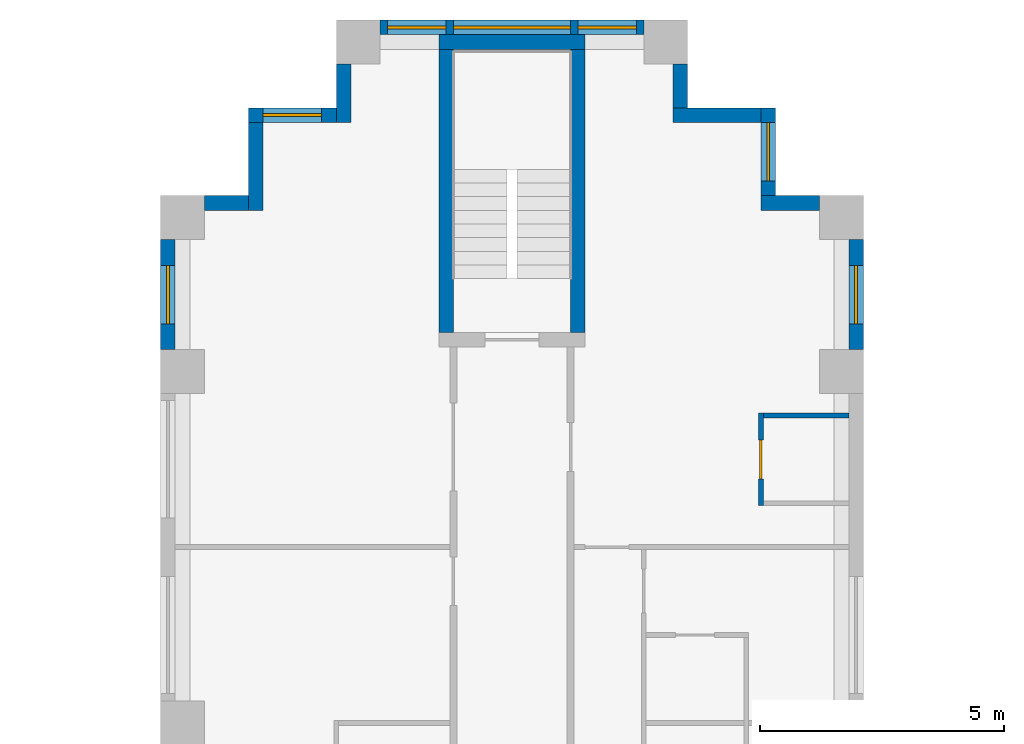
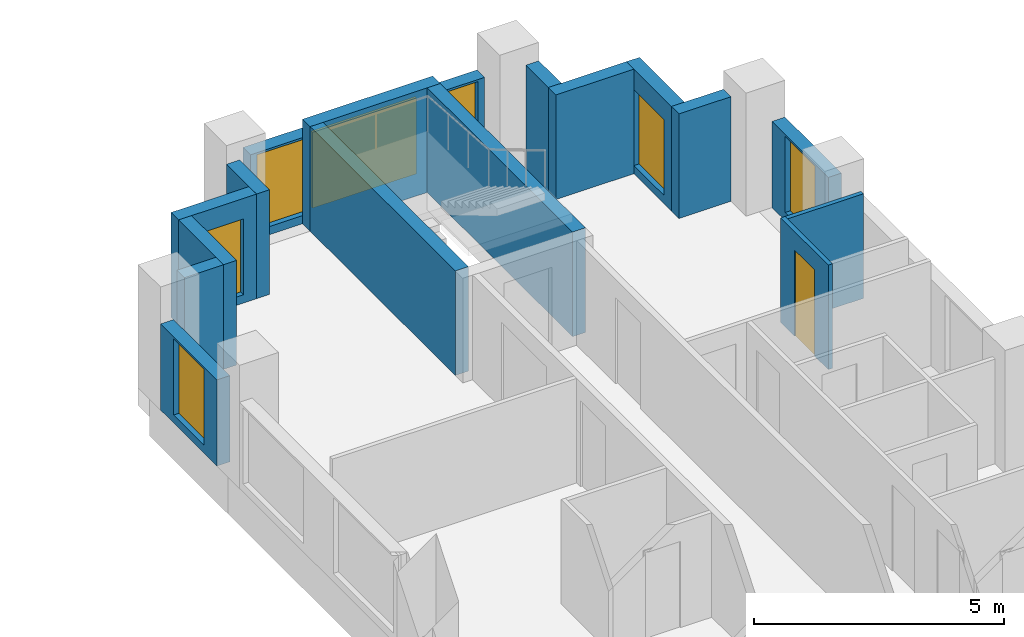
# One storey, part 12 of 15: 16 walls, 7 windows, 1 door, 8 openings.
"""IFC4 building model written with IfcOpenShell, lengths in metres."""

import ifcopenshell
import ifcopenshell.guid

model = None  # the IFC model being written
_history = None  # IfcOwnerHistory: only IFC2X3 demands one
_inside = {}  # id of a spatial element -> (the spatial element, [elements in it])
_under = {}  # id of a project, library or spatial element -> (it, [spatial elements below it])
_declared = {}  # id of a project -> (the project, [libraries it declares])
_typed = {}  # id of a type object -> (the type object, [elements of that type])
_made_of = {}  # id of a material, layer set ... -> (it, [elements and type objects made of it])


def new_model(schema):
    """Start an empty IFC model of exactly this schema.

    Asked for "IFC4X3", IfcOpenShell would pick the latest addendum, in which some entities
    have other attributes; the version numbers below select the first issue.
    IFC2X3 requires an IfcOwnerHistory on every rooted entity: one is made here for all.
    """
    global model, _history
    if schema == "IFC4X3":
        model = ifcopenshell.file(schema_version=(4, 3, 0, 0))
    else:
        model = ifcopenshell.file(schema=schema)
    _inside.clear()
    _under.clear()
    _declared.clear()
    _typed.clear()
    _made_of.clear()
    _history = None
    if model.schema == "IFC2X3":
        org = make("IfcOrganization", Name="unknown")
        user = make(
            "IfcPersonAndOrganization",
            ThePerson=make("IfcPerson", FamilyName="unknown"),
            TheOrganization=org,
        )
        app = make(
            "IfcApplication",
            ApplicationDeveloper=org,
            Version="unknown",
            ApplicationFullName="unknown",
            ApplicationIdentifier="unknown",
        )
        _history = make(
            "IfcOwnerHistory",
            OwningUser=user,
            OwningApplication=app,
            ChangeAction="ADDED",
            CreationDate=0,
        )
    return model


def make(cls, **values):
    """One entity of the class cls with the attributes given. An attribute that is None is left unset."""
    return model.create_entity(
        cls, **{name: value for name, value in values.items() if value is not None}
    )


def rooted(cls, **values):
    """An entity with a GlobalId (a new one), such as an element, a storey or a relation."""
    return make(cls, GlobalId=ifcopenshell.guid.new(), OwnerHistory=_history, **values)


def si_unit(unit_type, name, prefix=None):
    """IfcSIUnit, for example si_unit("LENGTHUNIT", "METRE", prefix="MILLI")."""
    return make("IfcSIUnit", UnitType=unit_type, Prefix=prefix, Name=name)


def assignment(units):
    """IfcUnitAssignment: the units of a project."""
    return None if units is None else make("IfcUnitAssignment", Units=units)


def point(xyz):
    """IfcCartesianPoint."""
    return None if xyz is None else make("IfcCartesianPoint", Coordinates=xyz)


def direction(xyz):
    """IfcDirection."""
    return None if xyz is None else make("IfcDirection", DirectionRatios=xyz)


def frame(location, z_axis=None, x_axis=None):
    """IfcAxis2Placement3D, a coordinate frame: its origin and axes. An axis left out is left unset."""
    return make(
        "IfcAxis2Placement3D",
        Location=point(location),
        Axis=direction(z_axis),
        RefDirection=direction(x_axis),
    )


def frame_2d(location, x_axis=None):
    """IfcAxis2Placement2D, a coordinate frame in the plane: its origin and x axis."""
    return make(
        "IfcAxis2Placement2D", Location=point(location), RefDirection=direction(x_axis)
    )


def origin():
    """The frame at (0, 0, 0) with its axes left unset."""
    return frame((0.0, 0.0, 0.0))


def place(relative_to, where):
    """IfcLocalPlacement: puts the frame where relative to a parent placement (None: the world)."""
    return make(
        "IfcLocalPlacement", PlacementRelTo=relative_to, RelativePlacement=where
    )


def context(
    kind, dimensions, precision=None, world=None, true_north=None, identifier=None
):
    """IfcGeometricRepresentationContext, for example the 3D "Model" context."""
    return make(
        "IfcGeometricRepresentationContext",
        ContextIdentifier=identifier,
        ContextType=kind,
        CoordinateSpaceDimension=dimensions,
        Precision=precision,
        WorldCoordinateSystem=world,
        TrueNorth=true_north,
    )


def subcontext(parent, identifier, kind, view, scale=None):
    """IfcGeometricRepresentationSubContext, for example "Body" below "Model"."""
    return make(
        "IfcGeometricRepresentationSubContext",
        ContextIdentifier=identifier,
        ContextType=kind,
        ParentContext=parent,
        TargetScale=scale,
        TargetView=view,
    )


def project(units=None, contexts=None):
    """IfcProject with its units and contexts."""
    return rooted(
        "IfcProject",
        Name="project",
        RepresentationContexts=contexts,
        UnitsInContext=assignment(units),
    )


def spatial(cls, under=None, at=None, **own):
    """A site, building, storey or space (cls), placed at a placement, below another one or the project."""
    s = rooted(cls, ObjectPlacement=at, **own)
    if under is not None:
        _under.setdefault(under.id(), (under, []))[1].append(s)
    return s


def profile(cls, at=None, kind="AREA", **sizes):
    """A parametric profile (cls). Its sizes go by their IFC names, for example OverallWidth=200.0."""
    return make(cls, ProfileType=kind, Position=at, **sizes)


def rectangle(**sizes):
    """IfcRectangleProfileDef."""
    return profile("IfcRectangleProfileDef", **sizes)


def extrude(swept, where, along, depth):
    """IfcExtrudedAreaSolid: the profile swept, set in the frame where, extruded along a direction by depth."""
    return make(
        "IfcExtrudedAreaSolid",
        SweptArea=swept,
        Position=where,
        ExtrudedDirection=direction(along),
        Depth=depth,
    )


def shape(context_of_items, identifier, shape_type, items):
    """IfcShapeRepresentation: the items that make up one representation, for example the "Body"."""
    return make(
        "IfcShapeRepresentation",
        ContextOfItems=context_of_items,
        RepresentationIdentifier=identifier,
        RepresentationType=shape_type,
        Items=items,
    )


def material(Name=None, Category=None):
    """IfcMaterial."""
    return make("IfcMaterial", Name=Name, Category=Category)


def layer(
    of_material, thickness, ventilated=None, Name=None, Category=None, Priority=None
):
    """IfcMaterialLayer: one layer of a wall or slab, of a material (None: an air gap)."""
    return make(
        "IfcMaterialLayer",
        Material=of_material,
        LayerThickness=thickness,
        IsVentilated=ventilated,
        Name=Name,
        Category=Category,
        Priority=Priority,
    )


def layer_set(layers, Name=None):
    """IfcMaterialLayerSet."""
    return make("IfcMaterialLayerSet", MaterialLayers=layers, LayerSetName=Name)


def made_of(thing, what):
    """Note that an element or type object is made of a material, layer set ...; save() writes the relation."""
    if what is not None:
        _made_of.setdefault(what.id(), (what, []))[1].append(thing)
    return thing


def type_object(cls, material=None, **own):
    """A type object (cls), such as IfcWallType, which elements share."""
    return made_of(rooted(cls, **own), material)


def element(
    cls,
    number,
    at=None,
    inside=None,
    cuts=None,
    type_object=None,
    material=None,
    context=None,
    identifier="Body",
    shape_type=None,
    held_by="IfcProductDefinitionShape",
    body=None,
    shapes=None,
    **own,
):
    """One element of the class cls, such as IfcWall. Its Tag is "e" and its number.

    at: its placement. inside: the storey or other place that contains it. cuts: it is an
    opening in that element (IfcRelVoidsElement). A single representation is given by context,
    identifier, shape_type and body (its items); several are given by shapes. held_by: the class
    of the entity that holds the representations. save() writes the other relations.
    """
    e = rooted(cls, Tag="e%d" % number, ObjectPlacement=at, **own)
    if body is not None:
        shapes = [shape(context, identifier, shape_type, body)]
    if shapes is not None:
        e.Representation = make(held_by, Representations=shapes)
    if inside is not None:
        _inside.setdefault(inside.id(), (inside, []))[1].append(e)
    if cuts is not None:
        rooted(
            "IfcRelVoidsElement", RelatingBuildingElement=cuts, RelatedOpeningElement=e
        )
    if type_object is not None:
        _typed.setdefault(type_object.id(), (type_object, []))[1].append(e)
    return made_of(e, material)


def fill(opening, filler):
    """IfcRelFillsElement: the door or window that sits in an opening."""
    return rooted(
        "IfcRelFillsElement",
        RelatingOpeningElement=opening,
        RelatedBuildingElement=filler,
    )


def aggregate(whole, parts):
    """IfcRelAggregates: a whole, such as a stair, and the parts it consists of."""
    return rooted("IfcRelAggregates", RelatingObject=whole, RelatedObjects=parts)


def save(model, path):
    """Write the relations noted so far, then the file.

    IfcRelAggregates (storeys below a building ...), IfcRelContainedInSpatialStructure (elements
    in a storey), IfcRelDefinesByType, IfcRelAssociatesMaterial and IfcRelDeclares: one each for
    every whole, place, type object, material and project.
    """
    for whole, parts in _under.values():
        aggregate(whole, parts)
    for where, things in _inside.values():
        rooted(
            "IfcRelContainedInSpatialStructure",
            RelatedElements=things,
            RelatingStructure=where,
        )
    for kind, things in _typed.values():
        rooted("IfcRelDefinesByType", RelatedObjects=things, RelatingType=kind)
    for what, things in _made_of.values():
        rooted("IfcRelAssociatesMaterial", RelatedObjects=things, RelatingMaterial=what)
    for by, libraries in _declared.values():
        rooted("IfcRelDeclares", RelatingContext=by, RelatedDefinitions=libraries)
    model.write(path)


model = new_model("IFC4")

# Units and contexts
model_context = context("Model", 3, precision=1e-05, world=origin(), true_north=direction((0.0, 1.0)))
body_context = subcontext(model_context, "Body", "Model", "MODEL_VIEW")
ifc_project = project(units=[si_unit("LENGTHUNIT", "METRE"), si_unit("AREAUNIT", "SQUARE_METRE"), si_unit("VOLUMEUNIT", "CUBIC_METRE"), si_unit("PLANEANGLEUNIT", "RADIAN"), si_unit("MASSUNIT", "GRAM", prefix="KILO")], contexts=[model_context])

# Site, building, storey
site_placement = place(None, origin())
site = spatial("IfcSite", under=ifc_project, at=site_placement, CompositionType="ELEMENT")
building_placement = place(site_placement, origin())
building = spatial("IfcBuilding", under=site, at=building_placement, Name="Fustian Cross Tower", CompositionType="ELEMENT")
storey_placement = place(building_placement, frame((0.0, 0.0, 59.699951171875)))
storey = spatial("IfcBuildingStorey", under=building, at=storey_placement, Name="L18", CompositionType="ELEMENT", Elevation=59.699951171875)

# Wall, opening, door
ifc_material_1 = material(Name="Plasterboard on steel stud", Category="steel")
ifc_layer_1 = layer(ifc_material_1, 0.10009765625)
ifc_layer_set_1 = layer_set([ifc_layer_1], Name="Plasterboard on steel stud")
wall_type_1 = type_object("IfcWallType", Name="PARTITION 100 STUD", PredefinedType="PARTITIONING", material=ifc_layer_set_1)
wall_1_placement = place(storey_placement, frame((5.10009765625, 33.25, 0.0), z_axis=(0.0, 0.0, 1.0), x_axis=(0.0, 1.0, 0.0)))
wall_1 = element("IfcWall", 1, at=wall_1_placement, inside=storey, type_object=wall_type_1, Name="Partition 83", PredefinedType="PARTITIONING", context=body_context, shape_type="SweptSolid", body=[
    extrude(rectangle(XDim=1.89990234375, YDim=0.10009765625, at=frame_2d((0.949951171875, 0.0))), origin(), (0.0, 0.0, 1.0), 2.550048828125),
])
opening_1_placement = place(wall_1_placement, frame((0.550048828125, 0.0, 0.0)))
opening_1 = element("IfcOpeningElement", 2, at=opening_1_placement, cuts=wall_1, Name="Opening D09033", PredefinedType="OPENING", context=body_context, shape_type="SweptSolid", body=[
    extrude(rectangle(XDim=0.800048828125, YDim=2.10009765625, at=frame_2d((0.39990234375, 1.050048828125))), frame((0.0, 0.06005859375, 0.0), z_axis=(0.0, -1.0, 0.0), x_axis=(1.0, 0.0, 0.0)), (0.0, 0.0, 1.0), 0.1201171875),
])
ifc_material_2 = material(Name="Painted timber", Category="wood")
door_type = type_object("IfcDoorType", Name="SWING DOOR 800", OperationType="SINGLE_SWING_LEFT", PredefinedType="DOOR", material=ifc_material_2)
door_placement = place(opening_1_placement, frame((0.800048828125, 0.0, 0.0), z_axis=(0.0, 0.0, 1.0), x_axis=(-1.0, 0.0, 0.0)))
door = element("IfcDoor", 3, at=door_placement, inside=storey, type_object=door_type, Name="Door D09033", OperationType="SINGLE_SWING_LEFT", OverallHeight=2.10009765625, OverallWidth=0.800048828125, PredefinedType="DOOR", context=body_context, shape_type="SweptSolid", body=[
    extrude(rectangle(XDim=0.800048828125, YDim=2.10009765625, at=frame_2d((0.39990234375, 1.050048828125))), frame((0.0, 0.02490234375, 0.0), z_axis=(0.0, -1.0, 0.0), x_axis=(1.0, 0.0, 0.0)), (0.0, 0.0, 1.0), 0.050048828125),
])
fill(opening_1, door)

# Walls
wall_2_placement = place(storey_placement, frame((5.14990234375, 35.10009765625, 0.0), z_axis=(0.0, 0.0, 1.0), x_axis=(1.0, 0.0, 0.0)))
element("IfcWall", 4, at=wall_2_placement, inside=storey, type_object=wall_type_1, Name="Partition 85", PredefinedType="PARTITIONING", context=body_context, shape_type="SweptSolid", body=[
    extrude(rectangle(XDim=1.75, YDim=0.10009765625, at=frame_2d((0.875, 0.0))), origin(), (0.0, 0.0, 1.0), 2.550048828125),
])
ifc_material_3 = material(Name="Concrete C50/60", Category="concrete")
ifc_layer_2 = layer(ifc_material_3, 0.300048828125)
ifc_layer_set_2 = layer_set([ifc_layer_2], Name="Concrete C50/60")
wall_type_2 = type_object("IfcWallType", Name="STAIR ENCLOSURE WALL 300 C50/60", PredefinedType="SHEAR", material=ifc_layer_set_2)
wall_3_placement = place(storey_placement, frame((-1.5, 42.75, 0.0), z_axis=(0.0, 0.0, 1.0), x_axis=(1.0, 0.0, 0.0)))
element("IfcWall", 5, at=wall_3_placement, inside=storey, type_object=wall_type_2, Name="Stair enclosure wall", PredefinedType="SHEAR", context=body_context, shape_type="SweptSolid", body=[
    extrude(rectangle(XDim=3.0, YDim=0.300048828125, at=frame_2d((1.5, 0.0))), origin(), (0.0, 0.0, 1.0), 2.550048828125),
])
for number, where, z_axis, x_axis, name in (
    (6, (-1.35009765625, 36.800048828125, 0.0), (0.0, 0.0, 1.0), (0.0, 1.0, 0.0), "Stair enclosure wall"),
    (7, (1.35009765625, 36.800048828125, 0.0), (0.0, 0.0, 1.0), (0.0, 1.0, 0.0), "Stair enclosure wall"),
):
    element("IfcWall", number, at=place(storey_placement, frame(where, z_axis=z_axis, x_axis=x_axis)), inside=storey, type_object=wall_type_2, Name=name, PredefinedType="SHEAR", context=body_context, shape_type="SweptSolid", body=[
        extrude(rectangle(XDim=5.800048828125, YDim=0.300048828125, at=frame_2d((2.89990234375, 0.0))), origin(), (0.0, 0.0, 1.0), 2.550048828125),
    ])

# Wall, opening, window
ifc_material_4 = material(Name="Dark aluminium cladding on insulated backing wall", Category="aluminium")
ifc_layer_3 = layer(ifc_material_4, 0.300048828125)
ifc_layer_set_3 = layer_set([ifc_layer_3], Name="Dark aluminium cladding on insulated backing wall")
wall_type_3 = type_object("IfcWallType", Name="XW1 EXTERNAL WALL 300", PredefinedType="SOLIDWALL", material=ifc_layer_set_3)
wall_4_placement = place(storey_placement, frame((7.050048828125, 36.449951171875, 0.0), z_axis=(0.0, 0.0, 1.0), x_axis=(0.0, 1.0, 0.0)))
wall_4 = element("IfcWall", 8, at=wall_4_placement, inside=storey, type_object=wall_type_3, Name="External wall", PredefinedType="SOLIDWALL", context=body_context, shape_type="SweptSolid", body=[
    extrude(rectangle(XDim=2.25, YDim=0.300048828125, at=frame_2d((1.125, 0.0))), origin(), (0.0, 0.0, 1.0), 2.10009765625),
])
opening_2_placement = place(wall_4_placement, frame((0.52490234375, 0.0, 0.199951171875)))
opening_2 = element("IfcOpeningElement", 9, at=opening_2_placement, cuts=wall_4, Name="Opening WN3", PredefinedType="OPENING", context=body_context, shape_type="SweptSolid", body=[
    extrude(rectangle(XDim=1.199951171875, YDim=1.85009765625, at=frame_2d((0.60009765625, 0.925048828125))), frame((0.0, 0.159912109375, 0.0), z_axis=(0.0, -1.0, 0.0), x_axis=(1.0, 0.0, 0.0)), (0.0, 0.0, 1.0), 0.320068359375),
])
ifc_material_5 = material(Name="Dark anodised aluminium and double glazing", Category="aluminium")
window_type_1 = type_object("IfcWindowType", Name="WN3 WINDOW 1200X1850", PartitioningType="SINGLE_PANEL", PredefinedType="WINDOW", material=ifc_material_5)
window_1_placement = place(opening_2_placement, origin())
window_1 = element("IfcWindow", 10, at=window_1_placement, inside=storey, type_object=window_type_1, Name="Window", OverallHeight=1.85009765625, OverallWidth=1.199951171875, PartitioningType="SINGLE_PANEL", PredefinedType="WINDOW", context=body_context, shape_type="SweptSolid", body=[
    extrude(rectangle(XDim=1.199951171875, YDim=1.85009765625, at=frame_2d((0.60009765625, 0.925048828125))), frame((0.0, 0.030029296875, 0.0), z_axis=(0.0, -1.0, 0.0), x_axis=(1.0, 0.0, 0.0)), (0.0, 0.0, 1.0), 0.06005859375),
])
fill(opening_2, window_1)

# Wall
wall_5_placement = place(storey_placement, frame((6.300048828125, 39.449951171875, 0.0), z_axis=(0.0, 0.0, 1.0), x_axis=(-1.0, 0.0, 0.0)))
element("IfcWall", 11, at=wall_5_placement, inside=storey, type_object=wall_type_3, Name="External wall", PredefinedType="SOLIDWALL", context=body_context, shape_type="SweptSolid", body=[
    extrude(rectangle(XDim=1.199951171875, YDim=0.300048828125, at=frame_2d((0.60009765625, 0.0))), origin(), (0.0, 0.0, 1.0), 2.550048828125),
])

# Wall, opening, window
wall_6_placement = place(storey_placement, frame((5.25, 39.60009765625, 0.0), z_axis=(0.0, 0.0, 1.0), x_axis=(0.0, 1.0, 0.0)))
wall_6 = element("IfcWall", 12, at=wall_6_placement, inside=storey, type_object=wall_type_3, Name="External wall", PredefinedType="SOLIDWALL", context=body_context, shape_type="SweptSolid", body=[
    extrude(rectangle(XDim=1.7998046875, YDim=0.300048828125, at=frame_2d((0.89990234375, 0.0))), origin(), (0.0, 0.0, 1.0), 2.550048828125),
])
opening_3_placement = place(wall_6_placement, frame((0.300048828125, 0.0, 0.199951171875)))
opening_3 = element("IfcOpeningElement", 13, at=opening_3_placement, cuts=wall_6, Name="Opening WN3", PredefinedType="OPENING", context=body_context, shape_type="SweptSolid", body=[
    extrude(rectangle(XDim=1.199951171875, YDim=1.85009765625, at=frame_2d((0.60009765625, 0.925048828125))), frame((0.0, 0.159912109375, 0.0), z_axis=(0.0, -1.0, 0.0), x_axis=(1.0, 0.0, 0.0)), (0.0, 0.0, 1.0), 0.320068359375),
])
window_2_placement = place(opening_3_placement, origin())
window_2 = element("IfcWindow", 14, at=window_2_placement, inside=storey, type_object=window_type_1, Name="Window", OverallHeight=1.85009765625, OverallWidth=1.199951171875, PartitioningType="SINGLE_PANEL", PredefinedType="WINDOW", context=body_context, shape_type="SweptSolid", body=[
    extrude(rectangle(XDim=1.199951171875, YDim=1.85009765625, at=frame_2d((0.60009765625, 0.925048828125))), frame((0.0, 0.030029296875, 0.0), z_axis=(0.0, -1.0, 0.0), x_axis=(1.0, 0.0, 0.0)), (0.0, 0.0, 1.0), 0.06005859375),
])
fill(opening_3, window_2)

# Walls
wall_7_placement = place(storey_placement, frame((5.10009765625, 41.25, 0.0), z_axis=(0.0, 0.0, 1.0), x_axis=(-1.0, 0.0, 0.0)))
element("IfcWall", 15, at=wall_7_placement, inside=storey, type_object=wall_type_3, Name="External wall", PredefinedType="SOLIDWALL", context=body_context, shape_type="SweptSolid", body=[
    extrude(rectangle(XDim=1.800048828125, YDim=0.300048828125, at=frame_2d((0.89990234375, 0.0))), origin(), (0.0, 0.0, 1.0), 2.550048828125),
])
wall_8_placement = place(storey_placement, frame((3.449951171875, 41.39990234375, 0.0), z_axis=(0.0, 0.0, 1.0), x_axis=(0.0, 1.0, 0.0)))
element("IfcWall", 16, at=wall_8_placement, inside=storey, type_object=wall_type_3, Name="External wall", PredefinedType="SOLIDWALL", context=body_context, shape_type="SweptSolid", body=[
    extrude(rectangle(XDim=0.900146484375, YDim=0.300048828125, at=frame_2d((0.4501953125, 0.0))), origin(), (0.0, 0.0, 1.0), 2.550048828125),
])

# Wall, openings, windows
wall_9_placement = place(storey_placement, frame((2.699951171875, 43.050048828125, 0.0), z_axis=(0.0, 0.0, 1.0), x_axis=(-1.0, 0.0, 0.0)))
wall_9 = element("IfcWall", 17, at=wall_9_placement, inside=storey, type_object=wall_type_3, Name="External wall", PredefinedType="SOLIDWALL", context=body_context, shape_type="SweptSolid", body=[
    extrude(rectangle(XDim=5.39990234375, YDim=0.300048828125, at=frame_2d((2.699951171875, 0.0))), origin(), (0.0, 0.0, 1.0), 2.10009765625),
])
opening_4_placement = place(wall_9_placement, frame((1.5, 0.0, 0.199951171875)))
opening_4 = element("IfcOpeningElement", 18, at=opening_4_placement, cuts=wall_9, Name="Opening WN1", PredefinedType="OPENING", context=body_context, shape_type="SweptSolid", body=[
    extrude(rectangle(XDim=2.39990234375, YDim=1.85009765625, at=frame_2d((1.199951171875, 0.925048828125))), frame((0.0, 0.159912109375, 0.0), z_axis=(0.0, -1.0, 0.0), x_axis=(1.0, 0.0, 0.0)), (0.0, 0.0, 1.0), 0.320068359375),
])
opening_5_placement = place(wall_9_placement, frame((0.14990234375, 0.0, 0.199951171875)))
opening_5 = element("IfcOpeningElement", 19, at=opening_5_placement, cuts=wall_9, Name="Opening WN3", PredefinedType="OPENING", context=body_context, shape_type="SweptSolid", body=[
    extrude(rectangle(XDim=1.199951171875, YDim=1.85009765625, at=frame_2d((0.60009765625, 0.925048828125))), frame((0.0, 0.159912109375, 0.0), z_axis=(0.0, -1.0, 0.0), x_axis=(1.0, 0.0, 0.0)), (0.0, 0.0, 1.0), 0.320068359375),
])
opening_6_placement = place(wall_9_placement, frame((4.050048828125, 0.0, 0.199951171875)))
opening_6 = element("IfcOpeningElement", 20, at=opening_6_placement, cuts=wall_9, Name="Opening WN3", PredefinedType="OPENING", context=body_context, shape_type="SweptSolid", body=[
    extrude(rectangle(XDim=1.199951171875, YDim=1.85009765625, at=frame_2d((0.60009765625, 0.925048828125))), frame((0.0, 0.159912109375, 0.0), z_axis=(0.0, -1.0, 0.0), x_axis=(1.0, 0.0, 0.0)), (0.0, 0.0, 1.0), 0.320068359375),
])
ifc_material_6 = material(Name="Dark anodised aluminium and double glazing", Category="aluminium")
window_type_2 = type_object("IfcWindowType", Name="WN1 WINDOW 2400X1850", PartitioningType="SINGLE_PANEL", PredefinedType="WINDOW", material=ifc_material_6)
window_3_placement = place(opening_4_placement, origin())
window_3 = element("IfcWindow", 21, at=window_3_placement, inside=storey, type_object=window_type_2, Name="Window", OverallHeight=1.85009765625, OverallWidth=2.39990234375, PartitioningType="SINGLE_PANEL", PredefinedType="WINDOW", context=body_context, shape_type="SweptSolid", body=[
    extrude(rectangle(XDim=2.39990234375, YDim=1.85009765625, at=frame_2d((1.199951171875, 0.925048828125))), frame((0.0, 0.030029296875, 0.0), z_axis=(0.0, -1.0, 0.0), x_axis=(1.0, 0.0, 0.0)), (0.0, 0.0, 1.0), 0.06005859375),
])
fill(opening_4, window_3)
window_4_placement = place(opening_5_placement, origin())
window_4 = element("IfcWindow", 22, at=window_4_placement, inside=storey, type_object=window_type_1, Name="Window", OverallHeight=1.85009765625, OverallWidth=1.199951171875, PartitioningType="SINGLE_PANEL", PredefinedType="WINDOW", context=body_context, shape_type="SweptSolid", body=[
    extrude(rectangle(XDim=1.199951171875, YDim=1.85009765625, at=frame_2d((0.60009765625, 0.925048828125))), frame((0.0, 0.030029296875, 0.0), z_axis=(0.0, -1.0, 0.0), x_axis=(1.0, 0.0, 0.0)), (0.0, 0.0, 1.0), 0.06005859375),
])
fill(opening_5, window_4)
window_5_placement = place(opening_6_placement, origin())
window_5 = element("IfcWindow", 23, at=window_5_placement, inside=storey, type_object=window_type_1, Name="Window", OverallHeight=1.85009765625, OverallWidth=1.199951171875, PartitioningType="SINGLE_PANEL", PredefinedType="WINDOW", context=body_context, shape_type="SweptSolid", body=[
    extrude(rectangle(XDim=1.199951171875, YDim=1.85009765625, at=frame_2d((0.60009765625, 0.925048828125))), frame((0.0, 0.030029296875, 0.0), z_axis=(0.0, -1.0, 0.0), x_axis=(1.0, 0.0, 0.0)), (0.0, 0.0, 1.0), 0.06005859375),
])
fill(opening_6, window_5)

# Wall
wall_10_placement = place(storey_placement, frame((-3.449951171875, 42.300048828125, 0.0), z_axis=(0.0, 0.0, 1.0), x_axis=(0.0, -1.0, 0.0)))
element("IfcWall", 24, at=wall_10_placement, inside=storey, type_object=wall_type_3, Name="External wall", PredefinedType="SOLIDWALL", context=body_context, shape_type="SweptSolid", body=[
    extrude(rectangle(XDim=1.199951171875, YDim=0.300048828125, at=frame_2d((0.60009765625, 0.0))), origin(), (0.0, 0.0, 1.0), 2.550048828125),
])

# Wall, opening, window
wall_11_placement = place(storey_placement, frame((-3.60009765625, 41.25, 0.0), z_axis=(0.0, 0.0, 1.0), x_axis=(-1.0, 0.0, 0.0)))
wall_11 = element("IfcWall", 25, at=wall_11_placement, inside=storey, type_object=wall_type_3, Name="External wall", PredefinedType="SOLIDWALL", context=body_context, shape_type="SweptSolid", body=[
    extrude(rectangle(XDim=1.7998046875, YDim=0.300048828125, at=frame_2d((0.89990234375, 0.0))), origin(), (0.0, 0.0, 1.0), 2.550048828125),
])
opening_7_placement = place(wall_11_placement, frame((0.300048828125, 0.0, 0.199951171875)))
opening_7 = element("IfcOpeningElement", 26, at=opening_7_placement, cuts=wall_11, Name="Opening WN3", PredefinedType="OPENING", context=body_context, shape_type="SweptSolid", body=[
    extrude(rectangle(XDim=1.199951171875, YDim=1.85009765625, at=frame_2d((0.60009765625, 0.925048828125))), frame((0.0, 0.159912109375, 0.0), z_axis=(0.0, -1.0, 0.0), x_axis=(1.0, 0.0, 0.0)), (0.0, 0.0, 1.0), 0.320068359375),
])
window_6_placement = place(opening_7_placement, origin())
window_6 = element("IfcWindow", 27, at=window_6_placement, inside=storey, type_object=window_type_1, Name="Window", OverallHeight=1.85009765625, OverallWidth=1.199951171875, PartitioningType="SINGLE_PANEL", PredefinedType="WINDOW", context=body_context, shape_type="SweptSolid", body=[
    extrude(rectangle(XDim=1.199951171875, YDim=1.85009765625, at=frame_2d((0.60009765625, 0.925048828125))), frame((0.0, 0.030029296875, 0.0), z_axis=(0.0, -1.0, 0.0), x_axis=(1.0, 0.0, 0.0)), (0.0, 0.0, 1.0), 0.06005859375),
])
fill(opening_7, window_6)

# Walls
wall_12_placement = place(storey_placement, frame((-5.25, 41.10009765625, 0.0), z_axis=(0.0, 0.0, 1.0), x_axis=(0.0, -1.0, 0.0)))
element("IfcWall", 28, at=wall_12_placement, inside=storey, type_object=wall_type_3, Name="External wall", PredefinedType="SOLIDWALL", context=body_context, shape_type="SweptSolid", body=[
    extrude(rectangle(XDim=1.800048828125, YDim=0.300048828125, at=frame_2d((0.89990234375, 0.0))), origin(), (0.0, 0.0, 1.0), 2.550048828125),
])
wall_13_placement = place(storey_placement, frame((-5.39990234375, 39.449951171875, 0.0), z_axis=(0.0, 0.0, 1.0), x_axis=(-1.0, 0.0, 0.0)))
element("IfcWall", 29, at=wall_13_placement, inside=storey, type_object=wall_type_3, Name="External wall", PredefinedType="SOLIDWALL", context=body_context, shape_type="SweptSolid", body=[
    extrude(rectangle(XDim=0.900146484375, YDim=0.300048828125, at=frame_2d((0.4501953125, 0.0))), origin(), (0.0, 0.0, 1.0), 2.550048828125),
])

# Wall, opening, window
wall_14_placement = place(storey_placement, frame((-7.050048828125, 38.699951171875, 0.0), z_axis=(0.0, 0.0, 1.0), x_axis=(0.0, -1.0, 0.0)))
wall_14 = element("IfcWall", 30, at=wall_14_placement, inside=storey, type_object=wall_type_3, Name="External wall", PredefinedType="SOLIDWALL", context=body_context, shape_type="SweptSolid", body=[
    extrude(rectangle(XDim=2.25, YDim=0.300048828125, at=frame_2d((1.125, 0.0))), origin(), (0.0, 0.0, 1.0), 2.10009765625),
])
opening_8_placement = place(wall_14_placement, frame((0.52490234375, 0.0, 0.199951171875)))
opening_8 = element("IfcOpeningElement", 31, at=opening_8_placement, cuts=wall_14, Name="Opening WN3", PredefinedType="OPENING", context=body_context, shape_type="SweptSolid", body=[
    extrude(rectangle(XDim=1.199951171875, YDim=1.85009765625, at=frame_2d((0.60009765625, 0.925048828125))), frame((0.0, 0.159912109375, 0.0), z_axis=(0.0, -1.0, 0.0), x_axis=(1.0, 0.0, 0.0)), (0.0, 0.0, 1.0), 0.320068359375),
])
window_7_placement = place(opening_8_placement, origin())
window_7 = element("IfcWindow", 32, at=window_7_placement, inside=storey, type_object=window_type_1, Name="Window", OverallHeight=1.85009765625, OverallWidth=1.199951171875, PartitioningType="SINGLE_PANEL", PredefinedType="WINDOW", context=body_context, shape_type="SweptSolid", body=[
    extrude(rectangle(XDim=1.199951171875, YDim=1.85009765625, at=frame_2d((0.60009765625, 0.925048828125))), frame((0.0, 0.030029296875, 0.0), z_axis=(0.0, -1.0, 0.0), x_axis=(1.0, 0.0, 0.0)), (0.0, 0.0, 1.0), 0.06005859375),
])
fill(opening_8, window_7)

save(model, "model.ifc")
